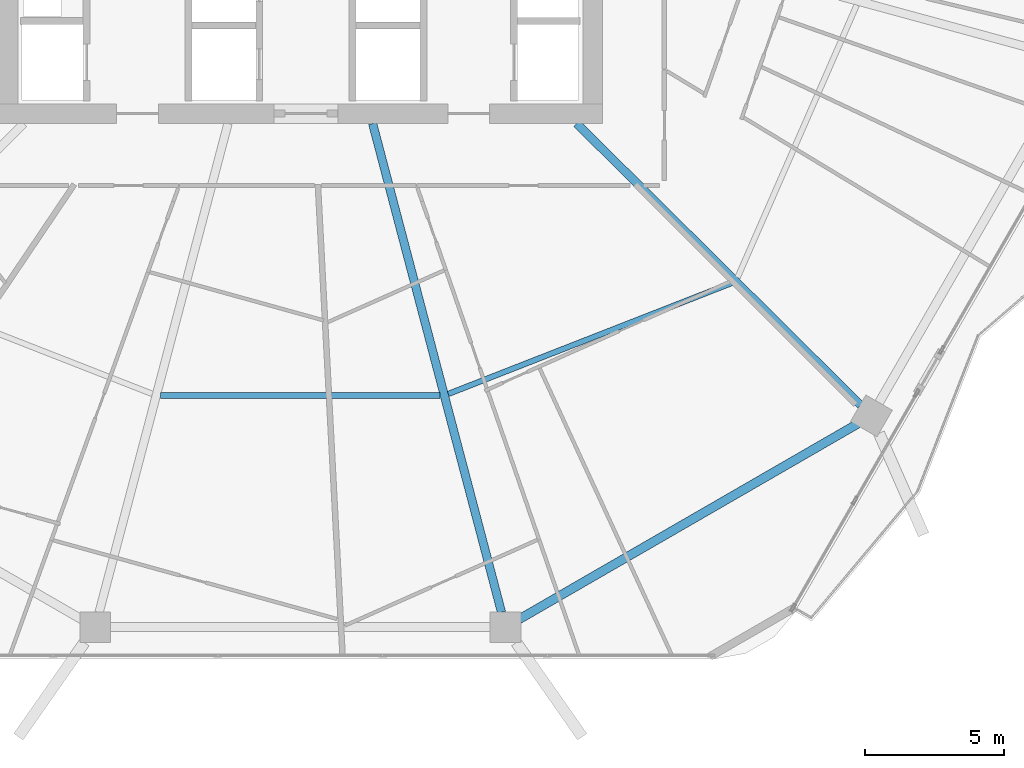
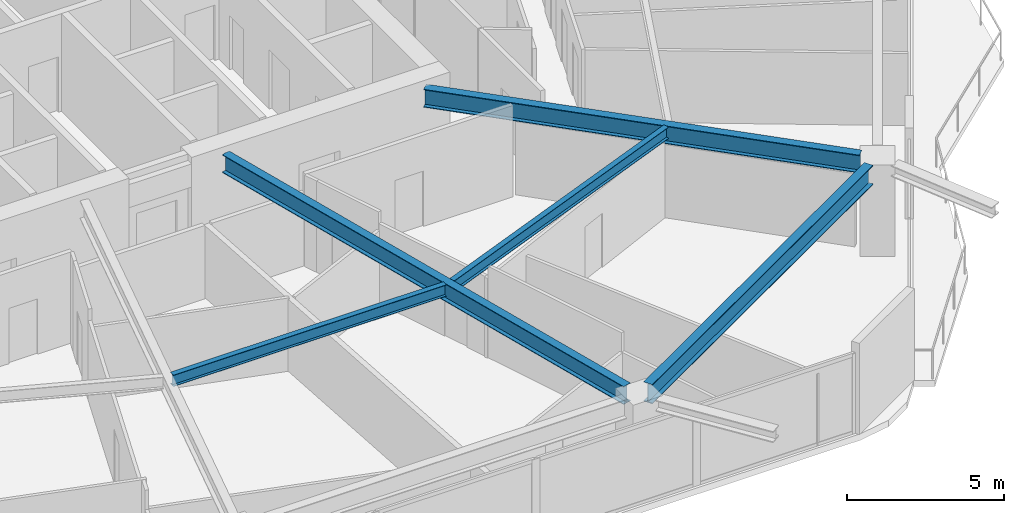
# One storey, part 8 of 32: 5 beams.
"""IFC4 building model written with IfcOpenShell, lengths in metres."""

from ifc_helpers import new_model, si_unit, direction, frame, origin, origin_2d, place, context, subcontext, project, spatial, i_section, extrude, material, material_profile, profile_set, type_object, element, save


model = new_model("IFC4")

# Units and contexts
model_context = context("Model", 3, precision=1e-05, world=origin(), true_north=direction((0.0, 1.0)))
body_context = subcontext(model_context, "Body", "Model", "MODEL_VIEW")
ifc_project = project(units=[si_unit("LENGTHUNIT", "METRE"), si_unit("AREAUNIT", "SQUARE_METRE"), si_unit("VOLUMEUNIT", "CUBIC_METRE"), si_unit("PLANEANGLEUNIT", "RADIAN"), si_unit("MASSUNIT", "GRAM", prefix="KILO")], contexts=[model_context])

# Site, building, storey
site_placement = place(None, origin())
site = spatial("IfcSite", under=ifc_project, at=site_placement, CompositionType="ELEMENT")
building_placement = place(site_placement, origin())
building = spatial("IfcBuilding", under=site, at=building_placement, Name="Zuhravey Tower", CompositionType="ELEMENT")
storey_placement = place(building_placement, frame((0.0, 0.0, 119.0)))
storey = spatial("IfcBuildingStorey", under=building, at=storey_placement, Name="L29", CompositionType="ELEMENT", Elevation=119.0)

# Beams
ifc_material = material(Name="Steel SM355", Category="steel")
ifc_material_profile_1 = material_profile(ifc_material, i_section(OverallWidth=0.320068359375, OverallDepth=0.75, WebThickness=0.013916015625, FlangeThickness=0.02490234375, at=origin_2d()), Name="H-750x320x14x25")
ifc_profile_set_1 = profile_set([ifc_material_profile_1], Name="Steel SM355")
beam_type_1 = type_object("IfcBeamType", Name="Perimeter Ring Beam H750x320", PredefinedType="BEAM", material=ifc_profile_set_1)
beam_1_placement = place(storey_placement, frame((43.848876953125, 4.327880859375, 3.175048828125), z_axis=(0.866017786538, 0.500013193225, 0.0), x_axis=(-0.500013193225, 0.866017786538, 0.0)))
element("IfcBeam", 1, at=beam_1_placement, inside=storey, type_object=beam_type_1, Name="L29 PB1 BM-L29-PB-10", PredefinedType="BEAM", context=body_context, shape_type="SweptSolid", body=[
    extrude(i_section(OverallWidth=0.320068359375, OverallDepth=0.75, WebThickness=0.013916015625, FlangeThickness=0.02490234375, at=origin_2d()), origin(), (0.0, 0.0, 1.0), 14.0771484375),
])
ifc_material_profile_2 = material_profile(ifc_material, i_section(OverallWidth=0.300048828125, OverallDepth=0.699951171875, WebThickness=0.012939453125, FlangeThickness=0.02392578125, at=origin_2d()), Name="H-700x300x13x24")
ifc_profile_set_2 = profile_set([ifc_material_profile_2], Name="Steel SM355")
beam_type_2 = type_object("IfcBeamType", Name="Radial Primary Girder H700x300", PredefinedType="BEAM", material=ifc_profile_set_2)
beam_2_placement = place(storey_placement, frame((38.59814453125, 22.14697265625, 3.199951171875), z_axis=(0.25498755891, -0.966944333869, 0.0), x_axis=(0.966944333869, 0.25498755891, 0.0)))
element("IfcBeam", 2, at=beam_2_placement, inside=storey, type_object=beam_type_2, Name="L29 RG1 BM-L29-RAD-10", PredefinedType="BEAM", context=body_context, shape_type="SweptSolid", body=[
    extrude(i_section(OverallWidth=0.300048828125, OverallDepth=0.699951171875, WebThickness=0.012939453125, FlangeThickness=0.02392578125, at=origin_2d()), origin(), (0.0, 0.0, 1.0), 18.1611328125),
])
beam_3_placement = place(storey_placement, frame((45.931396484375, 22.14697265625, 3.199951171875), z_axis=(0.709906230344, -0.704296204816, 0.0), x_axis=(0.704296204816, 0.709906230344, 0.0)))
element("IfcBeam", 3, at=beam_3_placement, inside=storey, type_object=beam_type_2, Name="L29 RG1 BM-L29-RAD-11", PredefinedType="BEAM", context=body_context, shape_type="SweptSolid", body=[
    extrude(i_section(OverallWidth=0.300048828125, OverallDepth=0.699951171875, WebThickness=0.012939453125, FlangeThickness=0.02392578125, at=origin_2d()), origin(), (0.0, 0.0, 1.0), 14.361083984375),
])
ifc_material_profile_3 = material_profile(ifc_material, i_section(OverallWidth=0.199951171875, OverallDepth=0.449951171875, WebThickness=0.009033203125, FlangeThickness=0.013916015625, at=origin_2d()), Name="H-450x200x9x14")
ifc_profile_set_3 = profile_set([ifc_material_profile_3], Name="Steel SM355")
beam_type_3 = type_object("IfcBeamType", Name="Secondary Floor Joist H450x200", PredefinedType="JOIST", material=ifc_profile_set_3)
beam_4_placement = place(storey_placement, frame((30.97900390625, 12.37548828125, 3.324951171875), z_axis=(1.0, 0.0, 0.0), x_axis=(0.0, 1.0, 0.0)))
element("IfcBeam", 4, at=beam_4_placement, inside=storey, type_object=beam_type_3, Name="L29 SJ1 BM-L29-SJ-09-1", PredefinedType="JOIST", context=body_context, shape_type="SweptSolid", body=[
    extrude(i_section(OverallWidth=0.199951171875, OverallDepth=0.449951171875, WebThickness=0.009033203125, FlangeThickness=0.013916015625, at=origin_2d()), origin(), (0.0, 0.0, 1.0), 10.0419921875),
])
beam_5_placement = place(storey_placement, frame((41.318359375, 12.431640625, 3.324951171875), z_axis=(0.931216764731, 0.364465824302, 0.0), x_axis=(-0.364465824302, 0.931216764731, 0.0)))
element("IfcBeam", 5, at=beam_5_placement, inside=storey, type_object=beam_type_3, Name="L29 SJ1 BM-L29-SJ-10-1", PredefinedType="JOIST", context=body_context, shape_type="SweptSolid", body=[
    extrude(i_section(OverallWidth=0.199951171875, OverallDepth=0.449951171875, WebThickness=0.009033203125, FlangeThickness=0.013916015625, at=origin_2d()), origin(), (0.0, 0.0, 1.0), 10.939453125),
])

save(model, "model.ifc")
